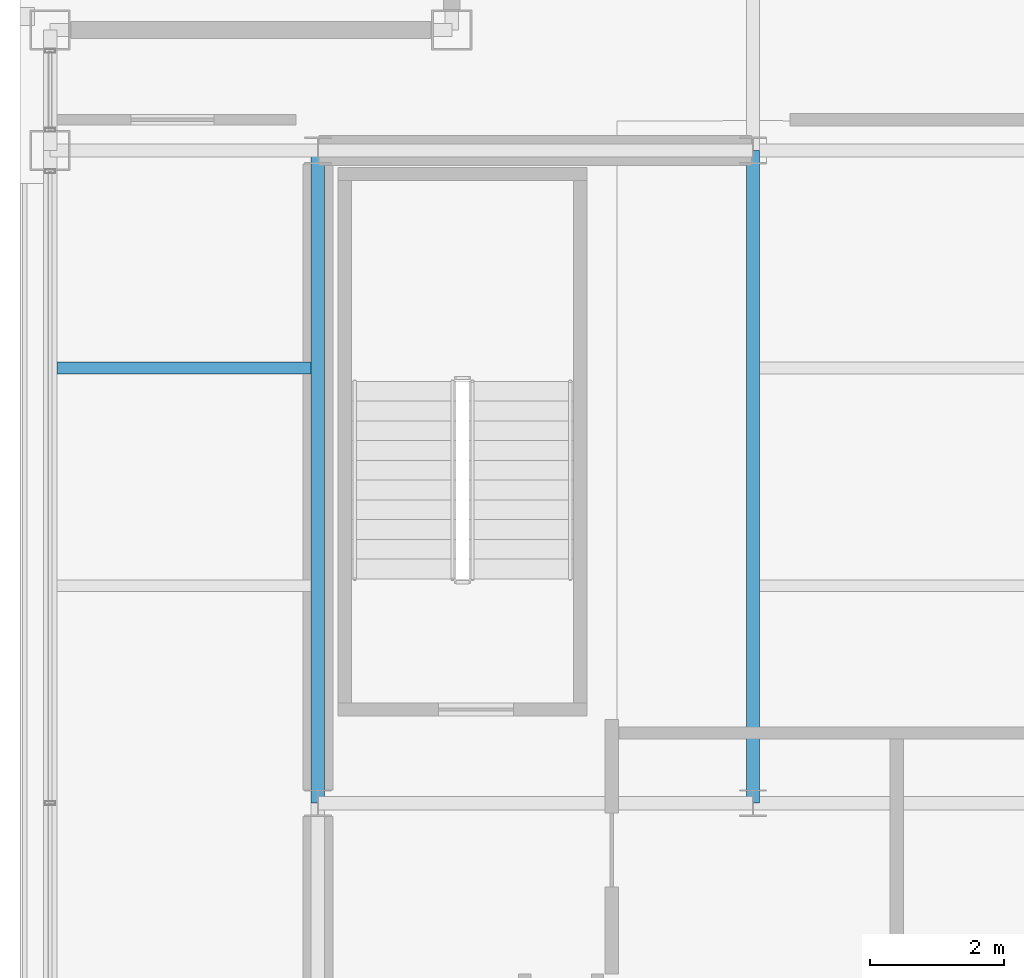
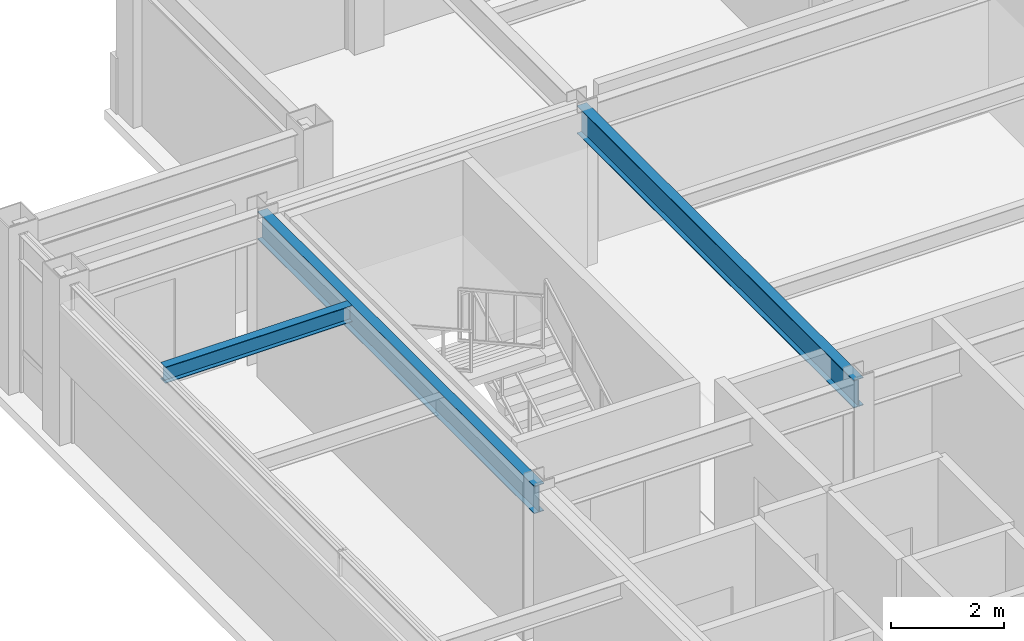
# One storey, part 7 of 20: 3 beams.
"""IFC4 building model written with IfcOpenShell, lengths in metres."""

import ifcopenshell
import ifcopenshell.guid

model = None  # the IFC model being written
_history = None  # IfcOwnerHistory: only IFC2X3 demands one
_inside = {}  # id of a spatial element -> (the spatial element, [elements in it])
_under = {}  # id of a project, library or spatial element -> (it, [spatial elements below it])
_declared = {}  # id of a project -> (the project, [libraries it declares])
_typed = {}  # id of a type object -> (the type object, [elements of that type])
_made_of = {}  # id of a material, layer set ... -> (it, [elements and type objects made of it])


def new_model(schema):
    """Start an empty IFC model of exactly this schema.

    Asked for "IFC4X3", IfcOpenShell would pick the latest addendum, in which some entities
    have other attributes; the version numbers below select the first issue.
    IFC2X3 requires an IfcOwnerHistory on every rooted entity: one is made here for all.
    """
    global model, _history
    if schema == "IFC4X3":
        model = ifcopenshell.file(schema_version=(4, 3, 0, 0))
    else:
        model = ifcopenshell.file(schema=schema)
    _inside.clear()
    _under.clear()
    _declared.clear()
    _typed.clear()
    _made_of.clear()
    _history = None
    if model.schema == "IFC2X3":
        org = make("IfcOrganization", Name="unknown")
        user = make(
            "IfcPersonAndOrganization",
            ThePerson=make("IfcPerson", FamilyName="unknown"),
            TheOrganization=org,
        )
        app = make(
            "IfcApplication",
            ApplicationDeveloper=org,
            Version="unknown",
            ApplicationFullName="unknown",
            ApplicationIdentifier="unknown",
        )
        _history = make(
            "IfcOwnerHistory",
            OwningUser=user,
            OwningApplication=app,
            ChangeAction="ADDED",
            CreationDate=0,
        )
    return model


def make(cls, **values):
    """One entity of the class cls with the attributes given. An attribute that is None is left unset."""
    return model.create_entity(
        cls, **{name: value for name, value in values.items() if value is not None}
    )


def rooted(cls, **values):
    """An entity with a GlobalId (a new one), such as an element, a storey or a relation."""
    return make(cls, GlobalId=ifcopenshell.guid.new(), OwnerHistory=_history, **values)


def si_unit(unit_type, name, prefix=None):
    """IfcSIUnit, for example si_unit("LENGTHUNIT", "METRE", prefix="MILLI")."""
    return make("IfcSIUnit", UnitType=unit_type, Prefix=prefix, Name=name)


def assignment(units):
    """IfcUnitAssignment: the units of a project."""
    return None if units is None else make("IfcUnitAssignment", Units=units)


def point(xyz):
    """IfcCartesianPoint."""
    return None if xyz is None else make("IfcCartesianPoint", Coordinates=xyz)


def direction(xyz):
    """IfcDirection."""
    return None if xyz is None else make("IfcDirection", DirectionRatios=xyz)


def frame(location, z_axis=None, x_axis=None):
    """IfcAxis2Placement3D, a coordinate frame: its origin and axes. An axis left out is left unset."""
    return make(
        "IfcAxis2Placement3D",
        Location=point(location),
        Axis=direction(z_axis),
        RefDirection=direction(x_axis),
    )


def frame_2d(location, x_axis=None):
    """IfcAxis2Placement2D, a coordinate frame in the plane: its origin and x axis."""
    return make(
        "IfcAxis2Placement2D", Location=point(location), RefDirection=direction(x_axis)
    )


def origin():
    """The frame at (0, 0, 0) with its axes left unset."""
    return frame((0.0, 0.0, 0.0))


def origin_2d():
    """The frame at (0, 0) in the plane with its x axis left unset."""
    return frame_2d((0.0, 0.0))


def place(relative_to, where):
    """IfcLocalPlacement: puts the frame where relative to a parent placement (None: the world)."""
    return make(
        "IfcLocalPlacement", PlacementRelTo=relative_to, RelativePlacement=where
    )


def context(
    kind, dimensions, precision=None, world=None, true_north=None, identifier=None
):
    """IfcGeometricRepresentationContext, for example the 3D "Model" context."""
    return make(
        "IfcGeometricRepresentationContext",
        ContextIdentifier=identifier,
        ContextType=kind,
        CoordinateSpaceDimension=dimensions,
        Precision=precision,
        WorldCoordinateSystem=world,
        TrueNorth=true_north,
    )


def subcontext(parent, identifier, kind, view, scale=None):
    """IfcGeometricRepresentationSubContext, for example "Body" below "Model"."""
    return make(
        "IfcGeometricRepresentationSubContext",
        ContextIdentifier=identifier,
        ContextType=kind,
        ParentContext=parent,
        TargetScale=scale,
        TargetView=view,
    )


def project(units=None, contexts=None):
    """IfcProject with its units and contexts."""
    return rooted(
        "IfcProject",
        Name="project",
        RepresentationContexts=contexts,
        UnitsInContext=assignment(units),
    )


def spatial(cls, under=None, at=None, **own):
    """A site, building, storey or space (cls), placed at a placement, below another one or the project."""
    s = rooted(cls, ObjectPlacement=at, **own)
    if under is not None:
        _under.setdefault(under.id(), (under, []))[1].append(s)
    return s


def profile(cls, at=None, kind="AREA", **sizes):
    """A parametric profile (cls). Its sizes go by their IFC names, for example OverallWidth=200.0."""
    return make(cls, ProfileType=kind, Position=at, **sizes)


def i_section(**sizes):
    """IfcIShapeProfileDef."""
    return profile("IfcIShapeProfileDef", **sizes)


def extrude(swept, where, along, depth):
    """IfcExtrudedAreaSolid: the profile swept, set in the frame where, extruded along a direction by depth."""
    return make(
        "IfcExtrudedAreaSolid",
        SweptArea=swept,
        Position=where,
        ExtrudedDirection=direction(along),
        Depth=depth,
    )


def shape(context_of_items, identifier, shape_type, items):
    """IfcShapeRepresentation: the items that make up one representation, for example the "Body"."""
    return make(
        "IfcShapeRepresentation",
        ContextOfItems=context_of_items,
        RepresentationIdentifier=identifier,
        RepresentationType=shape_type,
        Items=items,
    )


def material(Name=None, Category=None):
    """IfcMaterial."""
    return make("IfcMaterial", Name=Name, Category=Category)


def material_profile(
    of_material, cross_section, Name=None, Category=None, Priority=None
):
    """IfcMaterialProfile: a cross section and its material."""
    return make(
        "IfcMaterialProfile",
        Name=Name,
        Material=of_material,
        Profile=cross_section,
        Priority=Priority,
        Category=Category,
    )


def profile_set(profiles, Name=None, composite=None):
    """IfcMaterialProfileSet."""
    return make(
        "IfcMaterialProfileSet",
        Name=Name,
        MaterialProfiles=profiles,
        CompositeProfile=composite,
    )


def made_of(thing, what):
    """Note that an element or type object is made of a material, layer set ...; save() writes the relation."""
    if what is not None:
        _made_of.setdefault(what.id(), (what, []))[1].append(thing)
    return thing


def type_object(cls, material=None, **own):
    """A type object (cls), such as IfcWallType, which elements share."""
    return made_of(rooted(cls, **own), material)


def element(
    cls,
    number,
    at=None,
    inside=None,
    cuts=None,
    type_object=None,
    material=None,
    context=None,
    identifier="Body",
    shape_type=None,
    held_by="IfcProductDefinitionShape",
    body=None,
    shapes=None,
    **own,
):
    """One element of the class cls, such as IfcWall. Its Tag is "e" and its number.

    at: its placement. inside: the storey or other place that contains it. cuts: it is an
    opening in that element (IfcRelVoidsElement). A single representation is given by context,
    identifier, shape_type and body (its items); several are given by shapes. held_by: the class
    of the entity that holds the representations. save() writes the other relations.
    """
    e = rooted(cls, Tag="e%d" % number, ObjectPlacement=at, **own)
    if body is not None:
        shapes = [shape(context, identifier, shape_type, body)]
    if shapes is not None:
        e.Representation = make(held_by, Representations=shapes)
    if inside is not None:
        _inside.setdefault(inside.id(), (inside, []))[1].append(e)
    if cuts is not None:
        rooted(
            "IfcRelVoidsElement", RelatingBuildingElement=cuts, RelatedOpeningElement=e
        )
    if type_object is not None:
        _typed.setdefault(type_object.id(), (type_object, []))[1].append(e)
    return made_of(e, material)


def aggregate(whole, parts):
    """IfcRelAggregates: a whole, such as a stair, and the parts it consists of."""
    return rooted("IfcRelAggregates", RelatingObject=whole, RelatedObjects=parts)


def save(model, path):
    """Write the relations noted so far, then the file.

    IfcRelAggregates (storeys below a building ...), IfcRelContainedInSpatialStructure (elements
    in a storey), IfcRelDefinesByType, IfcRelAssociatesMaterial and IfcRelDeclares: one each for
    every whole, place, type object, material and project.
    """
    for whole, parts in _under.values():
        aggregate(whole, parts)
    for where, things in _inside.values():
        rooted(
            "IfcRelContainedInSpatialStructure",
            RelatedElements=things,
            RelatingStructure=where,
        )
    for kind, things in _typed.values():
        rooted("IfcRelDefinesByType", RelatedObjects=things, RelatingType=kind)
    for what, things in _made_of.values():
        rooted("IfcRelAssociatesMaterial", RelatedObjects=things, RelatingMaterial=what)
    for by, libraries in _declared.values():
        rooted("IfcRelDeclares", RelatingContext=by, RelatedDefinitions=libraries)
    model.write(path)


model = new_model("IFC4")

# Units and contexts
model_context = context("Model", 3, precision=1e-05, world=origin(), true_north=direction((0.0, 1.0)))
body_context = subcontext(model_context, "Body", "Model", "MODEL_VIEW")
ifc_project = project(units=[si_unit("LENGTHUNIT", "METRE"), si_unit("AREAUNIT", "SQUARE_METRE"), si_unit("VOLUMEUNIT", "CUBIC_METRE"), si_unit("PLANEANGLEUNIT", "RADIAN"), si_unit("MASSUNIT", "GRAM", prefix="KILO")], contexts=[model_context])

# Site, building, storey
site_placement = place(None, origin())
site = spatial("IfcSite", under=ifc_project, at=site_placement, CompositionType="ELEMENT")
building_placement = place(site_placement, origin())
building = spatial("IfcBuilding", under=site, at=building_placement, Name="Brelmoor Portico Tower", CompositionType="ELEMENT")
storey_placement = place(building_placement, frame((0.0, 0.0, 272.39990234375)))
storey = spatial("IfcBuildingStorey", under=building, at=storey_placement, Name="L72", CompositionType="ELEMENT", Elevation=272.39990234375)

# Beams
ifc_material = material(Name="Steel Q355B", Category="steel")
ifc_material_profile_1 = material_profile(ifc_material, i_section(OverallWidth=0.175048828125, OverallDepth=0.35009765625, WebThickness=0.007080078125, FlangeThickness=0.010986328125, at=origin_2d()), Name="HN 350x175x7x11")
ifc_profile_set_1 = profile_set([ifc_material_profile_1], Name="Steel Q355B")
beam_type_1 = type_object("IfcBeamType", Name="BM-JS-350", PredefinedType="JOIST", material=ifc_profile_set_1)
beam_placement = place(storey_placement, frame((-18.449951171875, 6.5, 3.22509765625), z_axis=(1.0, 0.0, 0.0), x_axis=(0.0, 1.0, 0.0)))
element("IfcBeam", 1, at=beam_placement, inside=storey, type_object=beam_type_1, Name="L72 Secondary Wing Joist JS-W10", PredefinedType="JOIST", context=body_context, shape_type="SweptSolid", body=[
    extrude(i_section(OverallWidth=0.175048828125, OverallDepth=0.35009765625, WebThickness=0.007080078125, FlangeThickness=0.010986328125, at=origin_2d()), origin(), (0.0, 0.0, 1.0), 3.800048828125),
])
ifc_material_profile_2 = material_profile(ifc_material, i_section(OverallWidth=0.199951171875, OverallDepth=0.60009765625, WebThickness=0.010986328125, FlangeThickness=0.01708984375, at=origin_2d()), Name="HN 600x200x11x17")
ifc_profile_set_2 = profile_set([ifc_material_profile_2], Name="Steel Q355B")
beam_type_2 = type_object("IfcBeamType", Name="BM-PG-600", PredefinedType="BEAM", material=ifc_profile_set_2)
for number, where, z_axis, x_axis, name in (
    (2, (-14.550048828125, 0.0, 3.10009765625), (0.0, 1.0, 0.0), (-1.0, 0.0, 0.0), "L72 Primary Floor Girder PG-02"),
    (3, (-8.050048828125, 0.0, 3.10009765625), (0.0, 1.0, 0.0), (-1.0, 0.0, 0.0), "L72 Primary Floor Girder PG-04"),
):
    element("IfcBeam", number, at=place(storey_placement, frame(where, z_axis=z_axis, x_axis=x_axis)), inside=storey, type_object=beam_type_2, Name=name, PredefinedType="BEAM", context=body_context, shape_type="SweptSolid", body=[
        extrude(i_section(OverallWidth=0.199951171875, OverallDepth=0.60009765625, WebThickness=0.010986328125, FlangeThickness=0.01708984375, at=origin_2d()), origin(), (0.0, 0.0, 1.0), 9.75),
    ])

save(model, "model.ifc")
